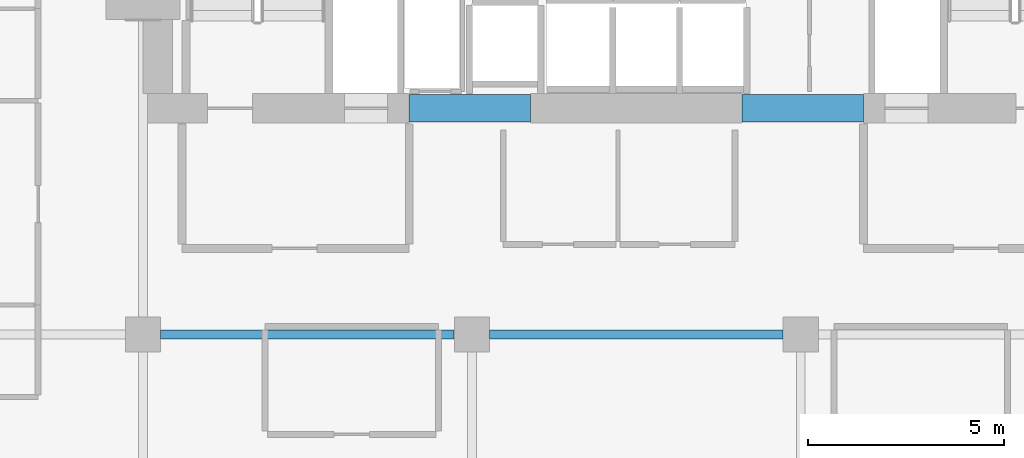
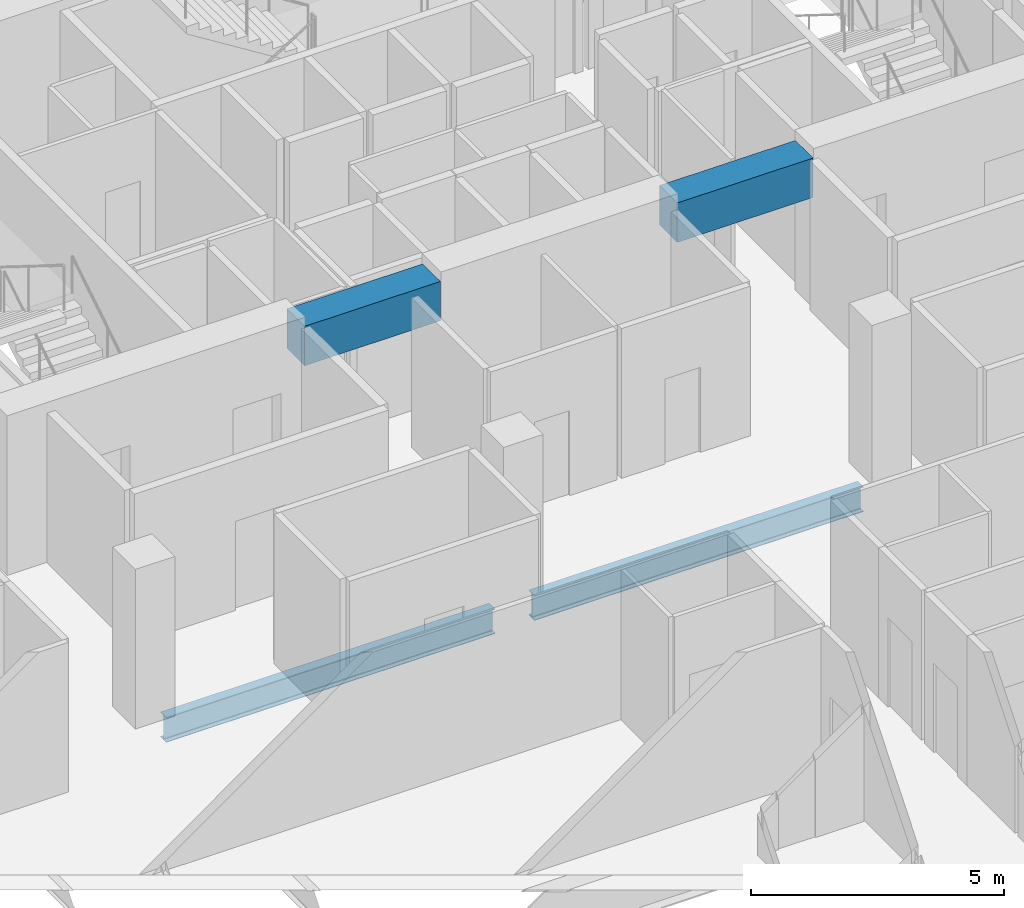
# One storey, part 21 of 34: 4 beams.
"""IFC4 building model written with IfcOpenShell, lengths in metres."""

from ifc_helpers import new_model, si_unit, direction, frame, origin, origin_2d, place, context, subcontext, project, spatial, rectangle, i_section, extrude, material, material_profile, profile_set, type_object, element, save


model = new_model("IFC4")

# Units and contexts
model_context = context("Model", 3, precision=1e-05, world=origin(), true_north=direction((0.0, 1.0)))
body_context = subcontext(model_context, "Body", "Model", "MODEL_VIEW")
ifc_project = project(units=[si_unit("LENGTHUNIT", "METRE"), si_unit("AREAUNIT", "SQUARE_METRE"), si_unit("VOLUMEUNIT", "CUBIC_METRE"), si_unit("PLANEANGLEUNIT", "RADIAN"), si_unit("MASSUNIT", "GRAM", prefix="KILO")], contexts=[model_context])

# Site, building, storey
site_placement = place(None, origin())
site = spatial("IfcSite", under=ifc_project, at=site_placement, CompositionType="ELEMENT")
building_placement = place(site_placement, origin())
building = spatial("IfcBuilding", under=site, at=building_placement, Name="Maruvema Waterfront Hotel and Observation Tower", CompositionType="ELEMENT")
storey_placement = place(building_placement, frame((0.0, 0.0, 192.85009765625)))
storey = spatial("IfcBuildingStorey", under=building, at=storey_placement, Name="L47", CompositionType="ELEMENT", Elevation=192.85009765625)

# Beams
ifc_material_1 = material(Name="Concrete C60/75", Category="concrete")
ifc_material_profile_1 = material_profile(ifc_material_1, rectangle(XDim=0.699951171875, YDim=0.949951171875, at=origin_2d()), Name="CB700x950")
ifc_profile_set_1 = profile_set([ifc_material_profile_1], Name="Concrete C60/75")
beam_type_1 = type_object("IfcBeamType", Name="Core Coupling Lintel Beam CB700x950", PredefinedType="LINTEL", material=ifc_profile_set_1)
for number, where, z_axis, x_axis, name in (
    (1, (32.0, 41.77490234375, 3.135009765625), (1.0, 0.0, 0.0), (0.0, 1.0, 0.0), "L47 Core Coupling Lintel Beam West"),
    (2, (40.5, 41.77490234375, 3.135009765625), (1.0, 0.0, 0.0), (0.0, 1.0, 0.0), "L47 Core Coupling Lintel Beam East"),
):
    element("IfcBeam", number, at=place(storey_placement, frame(where, z_axis=z_axis, x_axis=x_axis)), inside=storey, type_object=beam_type_1, Name=name, PredefinedType="LINTEL", context=body_context, shape_type="SweptSolid", body=[
        extrude(rectangle(XDim=0.699951171875, YDim=0.949951171875, at=origin_2d()), origin(), (0.0, 0.0, 1.0), 3.10009765625),
    ])
ifc_material_2 = material(Name="Steel ASTM A572 Grade 50", Category="steel")
ifc_material_profile_2 = material_profile(ifc_material_2, i_section(OverallWidth=0.22802734375, OverallDepth=0.60302734375, WebThickness=0.010498046875, FlangeThickness=0.014892578125, FilletRadius=0.01806640625, at=origin_2d()), Name="W610x101.0")
ifc_profile_set_2 = profile_set([ifc_material_profile_2], Name="Steel ASTM A572 Grade 50")
beam_type_2 = type_object("IfcBeamType", Name="Primary Floor Girder W610x101.0", PredefinedType="BEAM", material=ifc_profile_set_2)
for number, where, z_axis, x_axis, name in (
    (3, (25.64990234375, 36.0, -0.54150390625), (1.0, 0.0, 0.0), (0.0, 1.0, 0.0), "L47 Floor Girder EW-25"),
    (4, (34.050048828125, 36.0, -0.54150390625), (1.0, 0.0, 0.0), (0.0, 1.0, 0.0), "L47 Floor Girder EW-26"),
):
    element("IfcBeam", number, at=place(storey_placement, frame(where, z_axis=z_axis, x_axis=x_axis)), inside=storey, type_object=beam_type_2, Name=name, PredefinedType="BEAM", context=body_context, shape_type="SweptSolid", body=[
        extrude(i_section(OverallWidth=0.22802734375, OverallDepth=0.60302734375, WebThickness=0.010498046875, FlangeThickness=0.014892578125, FilletRadius=0.01806640625, at=origin_2d()), origin(), (0.0, 0.0, 1.0), 7.5),
    ])

save(model, "model.ifc")
